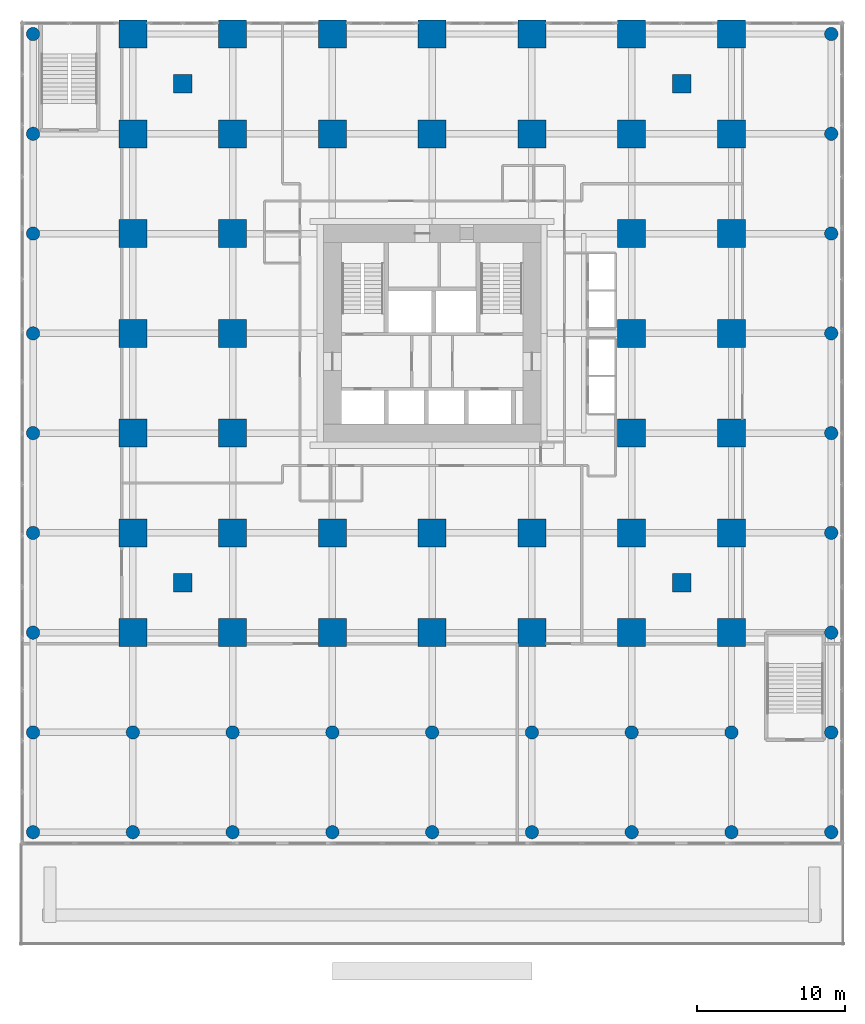
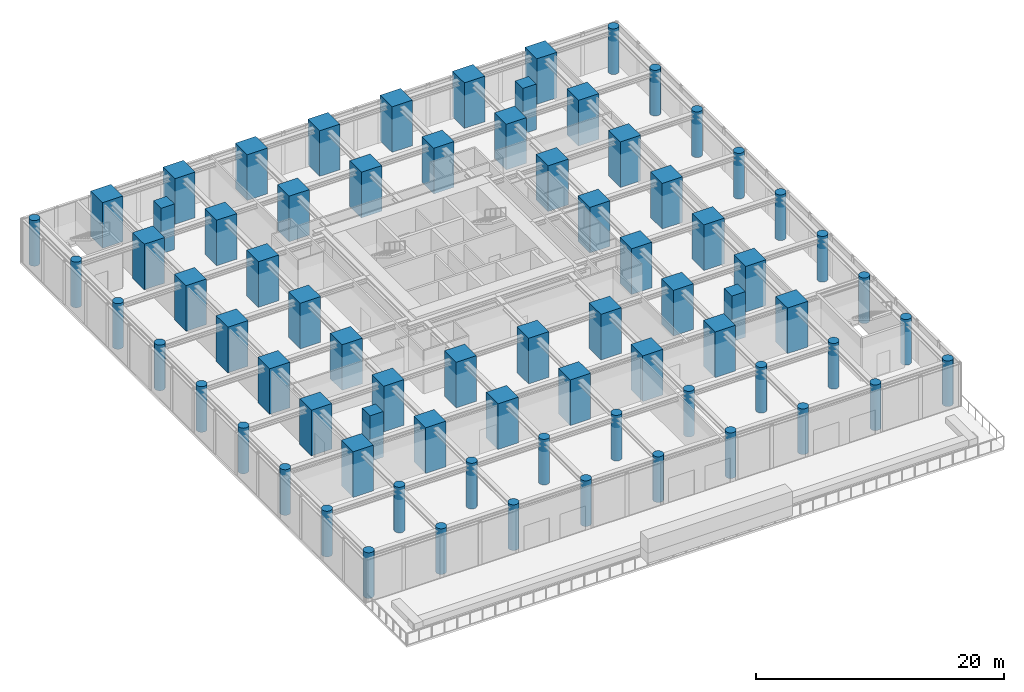
# One storey, part 1 of 11: 76 columns.
"""IFC4 building model written with IfcOpenShell, lengths in metres."""

from ifc_helpers import new_model, si_unit, direction, frame, origin, origin_2d, place, context, subcontext, project, spatial, rectangle, circle, extrude, material, material_profile, profile_set, type_object, element, save


model = new_model("IFC4")

# Units and contexts
model_context = context("Model", 3, precision=1e-05, world=origin(), true_north=direction((0.0, 1.0)))
body_context = subcontext(model_context, "Body", "Model", "MODEL_VIEW")
ifc_project = project(units=[si_unit("LENGTHUNIT", "METRE"), si_unit("AREAUNIT", "SQUARE_METRE"), si_unit("VOLUMEUNIT", "CUBIC_METRE"), si_unit("PLANEANGLEUNIT", "RADIAN"), si_unit("MASSUNIT", "GRAM", prefix="KILO")], contexts=[model_context])

# Site, building, storey
site_placement = place(None, origin())
site = spatial("IfcSite", under=ifc_project, at=site_placement, CompositionType="ELEMENT")
building_placement = place(site_placement, origin())
building = spatial("IfcBuilding", under=site, at=building_placement, Name="Nyansa Garden Tower", CompositionType="ELEMENT")
storey_placement = place(building_placement, frame((0.0, 0.0, 4.5)))
storey = spatial("IfcBuildingStorey", under=building, at=storey_placement, Name="L01", CompositionType="ELEMENT", Elevation=4.5)

# Columns
ifc_material_1 = material(Name="Concrete C70/85", Category="concrete")
ifc_material_profile_1 = material_profile(ifc_material_1, circle(Radius=0.449951171875, at=origin_2d()), Name="RC D900")
ifc_profile_set_1 = profile_set([ifc_material_profile_1], Name="Concrete C70/85")
column_type_1 = type_object("IfcColumnType", Name="Arcade column RC D900", PredefinedType="COLUMN", material=ifc_profile_set_1)
for number, where, z_axis, x_axis, name in (
    (1, (-6.75, -13.5, 0.0), (0.0, 0.0, 1.0), (1.0, 0.0, 0.0), "Column 1/B L01"),
    (2, (-6.75, -6.75, 0.0), (0.0, 0.0, 1.0), (1.0, 0.0, 0.0), "Column 1/C L01"),
    (3, (-6.75, 0.0, 0.0), (0.0, 0.0, 1.0), (1.0, 0.0, 0.0), "Column 1/D L01"),
    (4, (-6.75, 6.75, 0.0), (0.0, 0.0, 1.0), (1.0, 0.0, 0.0), "Column 1/E L01"),
    (5, (-6.75, 13.5, 0.0), (0.0, 0.0, 1.0), (1.0, 0.0, 0.0), "Column 1/F L01"),
    (6, (-6.75, 20.25, 0.0), (0.0, 0.0, 1.0), (1.0, 0.0, 0.0), "Column 1/G L01"),
    (7, (-6.75, 27.0, 0.0), (0.0, 0.0, 1.0), (1.0, 0.0, 0.0), "Column 1/H L01"),
    (8, (-6.75, 33.75, 0.0), (0.0, 0.0, 1.0), (1.0, 0.0, 0.0), "Column 1/J L01"),
    (9, (-6.75, 40.5, 0.0), (0.0, 0.0, 1.0), (1.0, 0.0, 0.0), "Column 1/K L01"),
    (10, (0.0, -13.5, 0.0), (0.0, 0.0, 1.0), (1.0, 0.0, 0.0), "Column 2/B L01"),
    (11, (0.0, -6.75, 0.0), (0.0, 0.0, 1.0), (1.0, 0.0, 0.0), "Column 2/C L01"),
    (12, (6.75, -13.5, 0.0), (0.0, 0.0, 1.0), (1.0, 0.0, 0.0), "Column 3/B L01"),
    (13, (6.75, -6.75, 0.0), (0.0, 0.0, 1.0), (1.0, 0.0, 0.0), "Column 3/C L01"),
    (14, (13.5, -13.5, 0.0), (0.0, 0.0, 1.0), (1.0, 0.0, 0.0), "Column 4/B L01"),
    (15, (13.5, -6.75, 0.0), (0.0, 0.0, 1.0), (1.0, 0.0, 0.0), "Column 4/C L01"),
    (16, (20.25, -13.5, 0.0), (0.0, 0.0, 1.0), (1.0, 0.0, 0.0), "Column 5/B L01"),
    (17, (20.25, -6.75, 0.0), (0.0, 0.0, 1.0), (1.0, 0.0, 0.0), "Column 5/C L01"),
    (18, (27.0, -13.5, 0.0), (0.0, 0.0, 1.0), (1.0, 0.0, 0.0), "Column 6/B L01"),
    (19, (27.0, -6.75, 0.0), (0.0, 0.0, 1.0), (1.0, 0.0, 0.0), "Column 6/C L01"),
    (20, (33.75, -13.5, 0.0), (0.0, 0.0, 1.0), (1.0, 0.0, 0.0), "Column 7/B L01"),
    (21, (33.75, -6.75, 0.0), (0.0, 0.0, 1.0), (1.0, 0.0, 0.0), "Column 7/C L01"),
    (22, (40.5, -13.5, 0.0), (0.0, 0.0, 1.0), (1.0, 0.0, 0.0), "Column 8/B L01"),
    (23, (40.5, -6.75, 0.0), (0.0, 0.0, 1.0), (1.0, 0.0, 0.0), "Column 8/C L01"),
    (24, (47.25, -13.5, 0.0), (0.0, 0.0, 1.0), (1.0, 0.0, 0.0), "Column 9/B L01"),
    (25, (47.25, -6.75, 0.0), (0.0, 0.0, 1.0), (1.0, 0.0, 0.0), "Column 9/C L01"),
    (26, (47.25, 0.0, 0.0), (0.0, 0.0, 1.0), (1.0, 0.0, 0.0), "Column 9/D L01"),
    (27, (47.25, 6.75, 0.0), (0.0, 0.0, 1.0), (1.0, 0.0, 0.0), "Column 9/E L01"),
    (28, (47.25, 13.5, 0.0), (0.0, 0.0, 1.0), (1.0, 0.0, 0.0), "Column 9/F L01"),
    (29, (47.25, 20.25, 0.0), (0.0, 0.0, 1.0), (1.0, 0.0, 0.0), "Column 9/G L01"),
    (30, (47.25, 27.0, 0.0), (0.0, 0.0, 1.0), (1.0, 0.0, 0.0), "Column 9/H L01"),
    (31, (47.25, 33.75, 0.0), (0.0, 0.0, 1.0), (1.0, 0.0, 0.0), "Column 9/J L01"),
    (32, (47.25, 40.5, 0.0), (0.0, 0.0, 1.0), (1.0, 0.0, 0.0), "Column 9/K L01"),
):
    element("IfcColumn", number, at=place(storey_placement, frame(where, z_axis=z_axis, x_axis=x_axis)), inside=storey, type_object=column_type_1, Name=name, PredefinedType="COLUMN", context=body_context, shape_type="SweptSolid", body=[
        extrude(circle(Radius=0.449951171875, at=origin_2d()), origin(), (0.0, 0.0, 1.0), 4.5),
    ])
ifc_material_2 = material(Name="Concrete C70/85", Category="concrete")
ifc_material_profile_2 = material_profile(ifc_material_2, rectangle(XDim=1.25, YDim=1.25, at=origin_2d()), Name="RC 1250x1250")
ifc_profile_set_2 = profile_set([ifc_material_profile_2], Name="Concrete C70/85")
column_type_2 = type_object("IfcColumnType", Name="Column C125 RC 1250x1250", PredefinedType="COLUMN", material=ifc_profile_set_2)
for number, where, z_axis, x_axis, name in (
    (33, (3.375, 3.375, 0.0), (0.0, 0.0, 1.0), (1.0, 0.0, 0.0), "Column x3.375/y3.375 L01"),
    (34, (3.375, 37.125, 0.0), (0.0, 0.0, 1.0), (1.0, 0.0, 0.0), "Column x3.375/y37.125 L01"),
    (35, (37.125, 3.375, 0.0), (0.0, 0.0, 1.0), (1.0, 0.0, 0.0), "Column x37.125/y3.375 L01"),
    (36, (37.125, 37.125, 0.0), (0.0, 0.0, 1.0), (1.0, 0.0, 0.0), "Column x37.125/y37.125 L01"),
):
    element("IfcColumn", number, at=place(storey_placement, frame(where, z_axis=z_axis, x_axis=x_axis)), inside=storey, type_object=column_type_2, Name=name, PredefinedType="COLUMN", context=body_context, shape_type="SweptSolid", body=[
        extrude(rectangle(XDim=1.25, YDim=1.25, at=origin_2d()), origin(), (0.0, 0.0, 1.0), 4.5),
    ])
ifc_material_3 = material(Name="Concrete C80/95", Category="concrete")
ifc_material_profile_3 = material_profile(ifc_material_3, rectangle(XDim=1.89990234375, YDim=1.89990234375, at=origin_2d()), Name="RC 1900x1900")
ifc_profile_set_3 = profile_set([ifc_material_profile_3], Name="Concrete C80/95")
column_type_3 = type_object("IfcColumnType", Name="Column C190 RC 1900x1900", PredefinedType="COLUMN", material=ifc_profile_set_3)
for number, where, z_axis, x_axis, name in (
    (37, (0.0, 0.0, 0.0), (0.0, 0.0, 1.0), (1.0, 0.0, 0.0), "Column 2/D L01"),
    (38, (0.0, 6.75, 0.0), (0.0, 0.0, 1.0), (1.0, 0.0, 0.0), "Column 2/E L01"),
    (39, (0.0, 13.5, 0.0), (0.0, 0.0, 1.0), (1.0, 0.0, 0.0), "Column 2/F L01"),
    (40, (0.0, 20.25, 0.0), (0.0, 0.0, 1.0), (1.0, 0.0, 0.0), "Column 2/G L01"),
    (41, (0.0, 27.0, 0.0), (0.0, 0.0, 1.0), (1.0, 0.0, 0.0), "Column 2/H L01"),
    (42, (0.0, 33.75, 0.0), (0.0, 0.0, 1.0), (1.0, 0.0, 0.0), "Column 2/J L01"),
    (43, (0.0, 40.5, 0.0), (0.0, 0.0, 1.0), (1.0, 0.0, 0.0), "Column 2/K L01"),
    (44, (6.75, 0.0, 0.0), (0.0, 0.0, 1.0), (1.0, 0.0, 0.0), "Column 3/D L01"),
    (45, (6.75, 6.75, 0.0), (0.0, 0.0, 1.0), (1.0, 0.0, 0.0), "Column 3/E L01"),
    (46, (6.75, 13.5, 0.0), (0.0, 0.0, 1.0), (1.0, 0.0, 0.0), "Column 3/F L01"),
    (47, (6.75, 20.25, 0.0), (0.0, 0.0, 1.0), (1.0, 0.0, 0.0), "Column 3/G L01"),
    (48, (6.75, 27.0, 0.0), (0.0, 0.0, 1.0), (1.0, 0.0, 0.0), "Column 3/H L01"),
    (49, (6.75, 33.75, 0.0), (0.0, 0.0, 1.0), (1.0, 0.0, 0.0), "Column 3/J L01"),
    (50, (6.75, 40.5, 0.0), (0.0, 0.0, 1.0), (1.0, 0.0, 0.0), "Column 3/K L01"),
    (51, (13.5, 0.0, 0.0), (0.0, 0.0, 1.0), (1.0, 0.0, 0.0), "Column 4/D L01"),
    (52, (13.5, 6.75, 0.0), (0.0, 0.0, 1.0), (1.0, 0.0, 0.0), "Column 4/E L01"),
    (53, (13.5, 33.75, 0.0), (0.0, 0.0, 1.0), (1.0, 0.0, 0.0), "Column 4/J L01"),
    (54, (13.5, 40.5, 0.0), (0.0, 0.0, 1.0), (1.0, 0.0, 0.0), "Column 4/K L01"),
    (55, (20.25, 0.0, 0.0), (0.0, 0.0, 1.0), (1.0, 0.0, 0.0), "Column 5/D L01"),
    (56, (20.25, 6.75, 0.0), (0.0, 0.0, 1.0), (1.0, 0.0, 0.0), "Column 5/E L01"),
    (57, (20.25, 33.75, 0.0), (0.0, 0.0, 1.0), (1.0, 0.0, 0.0), "Column 5/J L01"),
    (58, (20.25, 40.5, 0.0), (0.0, 0.0, 1.0), (1.0, 0.0, 0.0), "Column 5/K L01"),
    (59, (27.0, 0.0, 0.0), (0.0, 0.0, 1.0), (1.0, 0.0, 0.0), "Column 6/D L01"),
    (60, (27.0, 6.75, 0.0), (0.0, 0.0, 1.0), (1.0, 0.0, 0.0), "Column 6/E L01"),
    (61, (27.0, 33.75, 0.0), (0.0, 0.0, 1.0), (1.0, 0.0, 0.0), "Column 6/J L01"),
    (62, (27.0, 40.5, 0.0), (0.0, 0.0, 1.0), (1.0, 0.0, 0.0), "Column 6/K L01"),
    (63, (33.75, 0.0, 0.0), (0.0, 0.0, 1.0), (1.0, 0.0, 0.0), "Column 7/D L01"),
    (64, (33.75, 6.75, 0.0), (0.0, 0.0, 1.0), (1.0, 0.0, 0.0), "Column 7/E L01"),
    (65, (33.75, 13.5, 0.0), (0.0, 0.0, 1.0), (1.0, 0.0, 0.0), "Column 7/F L01"),
    (66, (33.75, 20.25, 0.0), (0.0, 0.0, 1.0), (1.0, 0.0, 0.0), "Column 7/G L01"),
    (67, (33.75, 27.0, 0.0), (0.0, 0.0, 1.0), (1.0, 0.0, 0.0), "Column 7/H L01"),
    (68, (33.75, 33.75, 0.0), (0.0, 0.0, 1.0), (1.0, 0.0, 0.0), "Column 7/J L01"),
    (69, (33.75, 40.5, 0.0), (0.0, 0.0, 1.0), (1.0, 0.0, 0.0), "Column 7/K L01"),
    (70, (40.5, 0.0, 0.0), (0.0, 0.0, 1.0), (1.0, 0.0, 0.0), "Column 8/D L01"),
    (71, (40.5, 6.75, 0.0), (0.0, 0.0, 1.0), (1.0, 0.0, 0.0), "Column 8/E L01"),
    (72, (40.5, 13.5, 0.0), (0.0, 0.0, 1.0), (1.0, 0.0, 0.0), "Column 8/F L01"),
    (73, (40.5, 20.25, 0.0), (0.0, 0.0, 1.0), (1.0, 0.0, 0.0), "Column 8/G L01"),
    (74, (40.5, 27.0, 0.0), (0.0, 0.0, 1.0), (1.0, 0.0, 0.0), "Column 8/H L01"),
    (75, (40.5, 33.75, 0.0), (0.0, 0.0, 1.0), (1.0, 0.0, 0.0), "Column 8/J L01"),
    (76, (40.5, 40.5, 0.0), (0.0, 0.0, 1.0), (1.0, 0.0, 0.0), "Column 8/K L01"),
):
    element("IfcColumn", number, at=place(storey_placement, frame(where, z_axis=z_axis, x_axis=x_axis)), inside=storey, type_object=column_type_3, Name=name, PredefinedType="COLUMN", context=body_context, shape_type="SweptSolid", body=[
        extrude(rectangle(XDim=1.89990234375, YDim=1.89990234375, at=origin_2d()), origin(), (0.0, 0.0, 1.0), 4.5),
    ])

save(model, "model.ifc")
